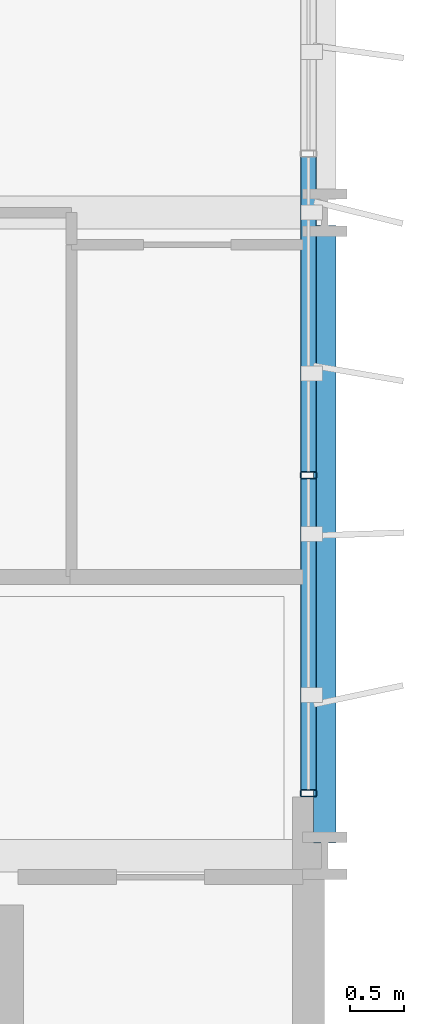
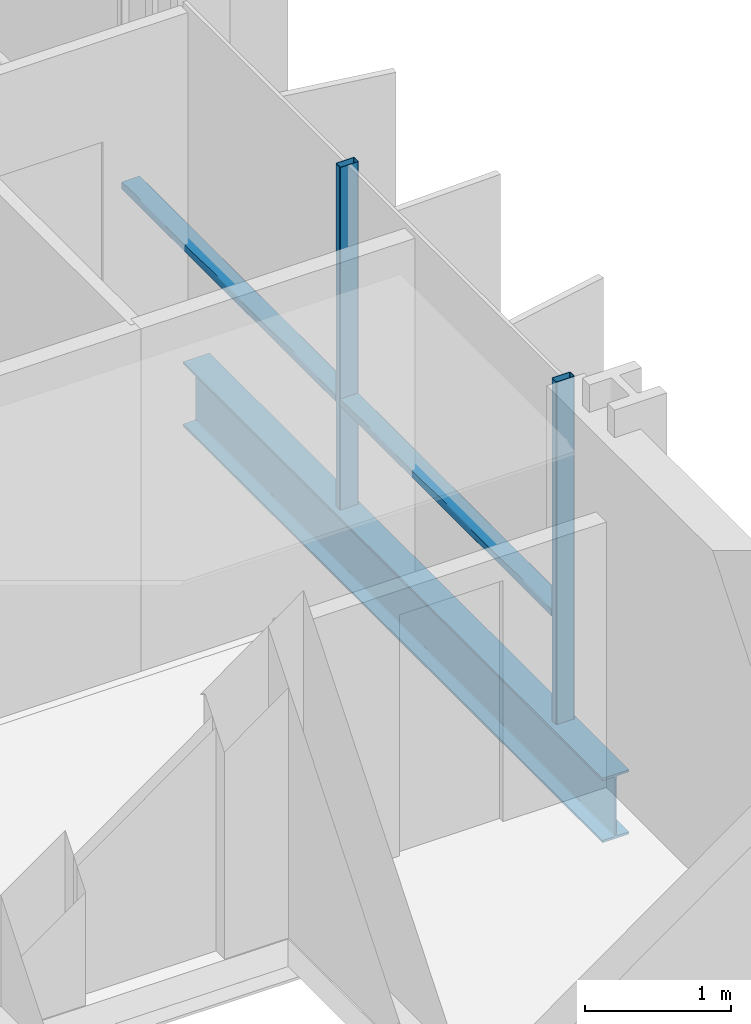
# One storey, part 15 of 38: 4 members, 1 beam, 1 element without a shape of its own.
"""IFC4 building model written with IfcOpenShell, lengths in metres."""

from ifc_helpers import new_model, si_unit, direction, frame, origin, origin_2d, place, context, subcontext, project, spatial, hollow_rectangle, i_section, extrude, material, layer, layer_set, material_profile, profile_set, type_object, element, aggregate, save


model = new_model("IFC4")

# Units and contexts
model_context = context("Model", 3, precision=1e-05, world=origin(), true_north=direction((0.0, 1.0)))
body_context = subcontext(model_context, "Body", "Model", "MODEL_VIEW")
ifc_project = project(units=[si_unit("LENGTHUNIT", "METRE"), si_unit("AREAUNIT", "SQUARE_METRE"), si_unit("VOLUMEUNIT", "CUBIC_METRE"), si_unit("PLANEANGLEUNIT", "RADIAN"), si_unit("MASSUNIT", "GRAM", prefix="KILO")], contexts=[model_context])

# Site, building, storey
site_placement = place(None, origin())
site = spatial("IfcSite", under=ifc_project, at=site_placement, CompositionType="ELEMENT")
building_placement = place(site_placement, origin())
building = spatial("IfcBuilding", under=site, at=building_placement, Name="Brevholm Reach", CompositionType="ELEMENT")
storey_placement = place(building_placement, frame((0.0, 0.0, 52.800048828125)))
storey = spatial("IfcBuildingStorey", under=building, at=storey_placement, Name="L14", CompositionType="ELEMENT", Elevation=52.800048828125)

# Beam
ifc_material_1 = material(Name="Structural Steel S355J2", Category="steel")
ifc_material_profile_1 = material_profile(ifc_material_1, i_section(OverallWidth=0.210693359375, OverallDepth=0.53955078125, WebThickness=0.01171875, FlangeThickness=0.018798828125, FilletRadius=0.0126953125, at=origin_2d()), Name="UKB 533x210x109")
ifc_profile_set_1 = profile_set([ifc_material_profile_1], Name="Structural Steel S355J2")
beam_type = type_object("IfcBeamType", Name="BM-SP539", PredefinedType="SPANDREL", material=ifc_profile_set_1)
beam_placement = place(storey_placement, frame((60.0, 10.1201171875, -0.499755859375), z_axis=(0.0, 1.0, 0.0), x_axis=(-1.0, 0.0, 0.0)))
element("IfcBeam", 1, at=beam_placement, inside=storey, type_object=beam_type, Name="L14 SP-01B Framing Beam", PredefinedType="SPANDREL", context=body_context, shape_type="SweptSolid", body=[
    extrude(i_section(OverallWidth=0.210693359375, OverallDepth=0.53955078125, WebThickness=0.01171875, FlangeThickness=0.018798828125, FilletRadius=0.0126953125, at=origin_2d()), origin(), (0.0, 0.0, 1.0), 5.759765625),
])

# Curtain wall, members
ifc_material_2 = material(Name="Dark Anodised Aluminium 6063-T6 and Solar-Control Glass", Category="aluminium")
ifc_layer = layer(ifc_material_2, 0.14990234375)
ifc_layer_set = layer_set([ifc_layer], Name="Dark Anodised Aluminium 6063-T6 and Solar-Control Glass")
curtain_wall_type = type_object("IfcCurtainWallType", Name="CW-01", PredefinedType="NOTDEFINED", material=ifc_layer_set)
curtain_wall_placement = place(storey_placement, origin())
curtain_wall = element("IfcCurtainWall", 2, at=curtain_wall_placement, inside=storey, type_object=curtain_wall_type, Name="L14 Curtain Wall CW-01", PredefinedType="NOTDEFINED")
ifc_material_3 = material(Name="Dark Anodised Aluminium 6063-T6", Category="aluminium")
ifc_material_profile_2 = material_profile(ifc_material_3, hollow_rectangle(XDim=0.06494140625, YDim=0.14990234375, WallThickness=0.0048828125, InnerFilletRadius=0.0048828125, OuterFilletRadius=0.010009765625, at=origin_2d()), Name="RHS 150x65x5")
ifc_profile_set_2 = profile_set([ifc_material_profile_2], Name="Dark Anodised Aluminium 6063-T6")
member_type_1 = type_object("IfcMemberType", Name="CWM-150", PredefinedType="MULLION", material=ifc_profile_set_2)
member_1_placement = place(storey_placement, frame((59.85009765625, 10.58251953125, 0.0), z_axis=(0.0, 0.0, 1.0), x_axis=(0.0, 1.0, 0.0)))
member_1 = element("IfcMember", 3, at=member_1_placement, type_object=member_type_1, Name="CM-150 Mullion 1", PredefinedType="MULLION", context=body_context, shape_type="SweptSolid", body=[
    extrude(hollow_rectangle(XDim=0.06494140625, YDim=0.14990234375, WallThickness=0.0048828125, InnerFilletRadius=0.0048828125, OuterFilletRadius=0.010009765625, at=origin_2d()), origin(), (0.0, 0.0, 1.0), 2.869873046875),
])
member_2_placement = place(storey_placement, frame((59.85009765625, 13.550048828125, 0.0), z_axis=(0.0, 0.0, 1.0), x_axis=(0.0, 1.0, 0.0)))
member_2 = element("IfcMember", 4, at=member_2_placement, type_object=member_type_1, Name="CM-150 Mullion 2", PredefinedType="MULLION", context=body_context, shape_type="SweptSolid", body=[
    extrude(hollow_rectangle(XDim=0.06494140625, YDim=0.14990234375, WallThickness=0.0048828125, InnerFilletRadius=0.0048828125, OuterFilletRadius=0.010009765625, at=origin_2d()), origin(), (0.0, 0.0, 1.0), 2.869873046875),
])
ifc_material_4 = material(Name="Dark Anodised Aluminium 6063-T6", Category="aluminium")
ifc_material_profile_3 = material_profile(ifc_material_4, hollow_rectangle(XDim=0.06494140625, YDim=0.14990234375, WallThickness=0.0048828125, InnerFilletRadius=0.0048828125, OuterFilletRadius=0.010009765625, at=origin_2d()), Name="RHS 150x65x5")
ifc_profile_set_3 = profile_set([ifc_material_profile_3], Name="Dark Anodised Aluminium 6063-T6")
member_type_2 = type_object("IfcMemberType", Name="CWT-150", PredefinedType="NOTDEFINED", material=ifc_profile_set_3)
member_3_placement = place(storey_placement, frame((59.85009765625, 10.614990234375, 0.89990234375), z_axis=(0.0, 1.0, 0.0), x_axis=(0.0, 0.0, 1.0)))
member_3 = element("IfcMember", 5, at=member_3_placement, type_object=member_type_2, Name="CT-150 Transom 1.1", ObjectType="TRANSOM", PredefinedType="USERDEFINED", context=body_context, shape_type="SweptSolid", body=[
    extrude(hollow_rectangle(XDim=0.06494140625, YDim=0.14990234375, WallThickness=0.0048828125, InnerFilletRadius=0.0048828125, OuterFilletRadius=0.010009765625, at=origin_2d()), origin(), (0.0, 0.0, 1.0), 2.902587890625),
])
member_4_placement = place(storey_placement, frame((59.85009765625, 13.58251953125, 0.89990234375), z_axis=(0.0, 1.0, 0.0), x_axis=(0.0, 0.0, 1.0)))
member_4 = element("IfcMember", 6, at=member_4_placement, type_object=member_type_2, Name="CT-150 Transom 2.1", ObjectType="TRANSOM", PredefinedType="USERDEFINED", context=body_context, shape_type="SweptSolid", body=[
    extrude(hollow_rectangle(XDim=0.06494140625, YDim=0.14990234375, WallThickness=0.0048828125, InnerFilletRadius=0.0048828125, OuterFilletRadius=0.010009765625, at=origin_2d()), origin(), (0.0, 0.0, 1.0), 2.93505859375),
])
aggregate(curtain_wall, [member_1, member_2, member_3, member_4])

save(model, "model.ifc")
